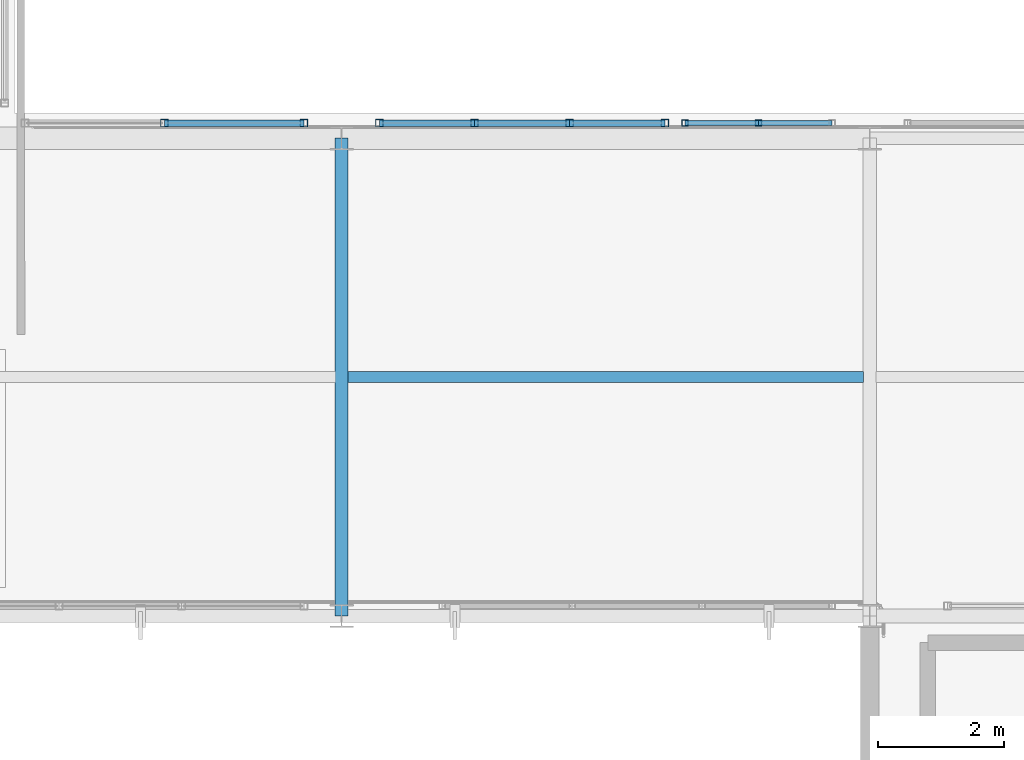
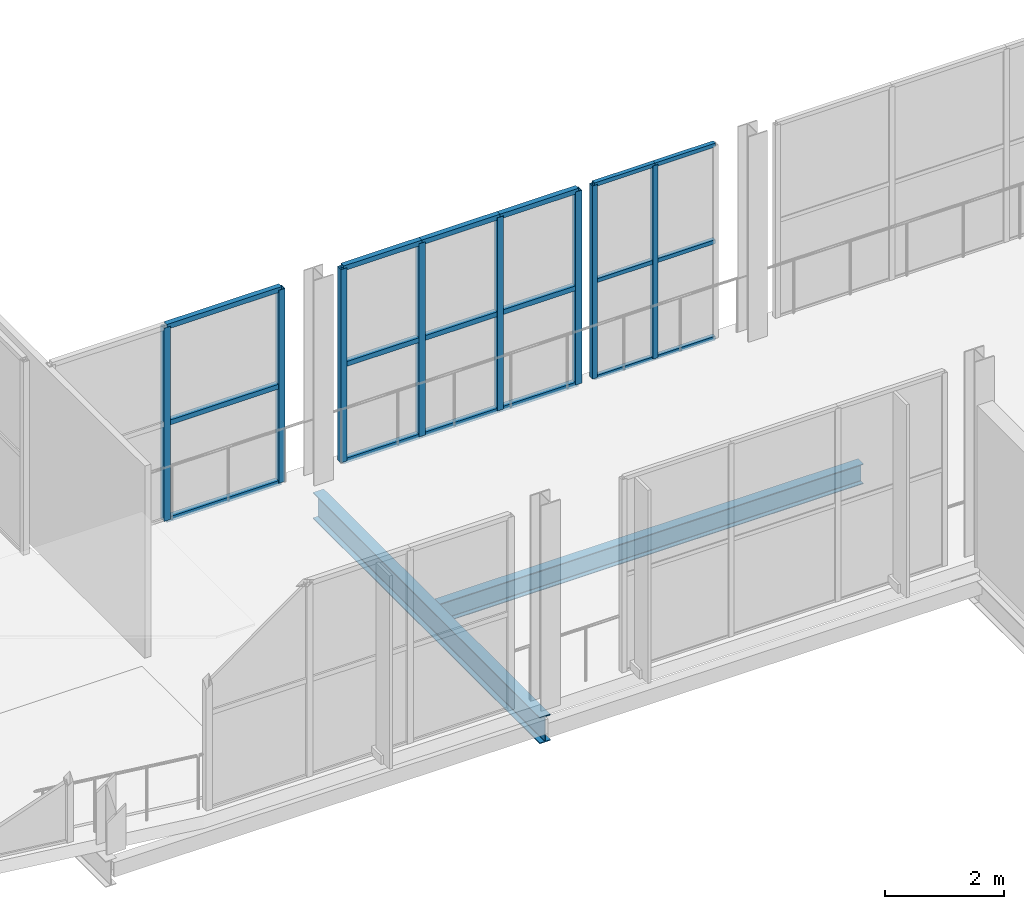
# One storey, part 21 of 217: 26 members, 2 beams, 3 elements without a shape of their own.
"""IFC4 building model written with IfcOpenShell, lengths in metres."""

from ifc_helpers import new_model, si_unit, direction, frame, origin, origin_2d, place, context, subcontext, project, spatial, hollow_rectangle, i_section, extrude, material, material_profile, profile_set, type_object, element, aggregate, save


model = new_model("IFC4")

# Units and contexts
model_context = context("Model", 3, precision=1e-05, world=origin(), true_north=direction((0.0, 1.0)))
body_context = subcontext(model_context, "Body", "Model", "MODEL_VIEW")
ifc_project = project(units=[si_unit("LENGTHUNIT", "METRE"), si_unit("AREAUNIT", "SQUARE_METRE"), si_unit("VOLUMEUNIT", "CUBIC_METRE"), si_unit("PLANEANGLEUNIT", "RADIAN"), si_unit("MASSUNIT", "GRAM", prefix="KILO")], contexts=[model_context])

# Site, building, storey
site_placement = place(None, origin())
site = spatial("IfcSite", under=ifc_project, at=site_placement, CompositionType="ELEMENT")
building_placement = place(site_placement, origin())
building = spatial("IfcBuilding", under=site, at=building_placement, Name="Zuvorla Pavilion Media Centre", CompositionType="ELEMENT")
storey_placement = place(building_placement, frame((0.0, 0.0, 9.60009765625)))
storey = spatial("IfcBuildingStorey", under=building, at=storey_placement, Name="L02", CompositionType="ELEMENT", Elevation=9.60009765625)

# Beams
ifc_material_1 = material(Name="Steel S355", Category="steel")
ifc_material_profile_1 = material_profile(ifc_material_1, i_section(OverallWidth=0.1787109375, OverallDepth=0.409423828125, WebThickness=0.0087890625, FlangeThickness=0.014404296875, FilletRadius=0.01025390625, at=origin_2d()), Name="UB 406x178x67")
ifc_profile_set_1 = profile_set([ifc_material_profile_1], Name="Steel S355")
beam_type_1 = type_object("IfcBeamType", Name="BM-UB406", PredefinedType="JOIST", material=ifc_profile_set_1)
beam_1_placement = place(storey_placement, frame((33.300048828125, 47.800048828125, -0.472900390625), z_axis=(1.0, 0.0, 0.0), x_axis=(0.0, 1.0, 0.0)))
element("IfcBeam", 1, at=beam_1_placement, inside=storey, type_object=beam_type_1, Name="L02 joist J02 987", PredefinedType="JOIST", context=body_context, shape_type="SweptSolid", body=[
    extrude(i_section(OverallWidth=0.1787109375, OverallDepth=0.409423828125, WebThickness=0.0087890625, FlangeThickness=0.014404296875, FilletRadius=0.01025390625, at=origin_2d()), origin(), (0.0, 0.0, 1.0), 8.199951171875),
])
ifc_material_profile_2 = material_profile(ifc_material_1, i_section(OverallWidth=0.2099609375, OverallDepth=0.53662109375, WebThickness=0.0107421875, FlangeThickness=0.017333984375, FilletRadius=0.0126953125, at=origin_2d()), Name="UB 533x210x101")
ifc_profile_set_2 = profile_set([ifc_material_profile_2], Name="Steel S355")
beam_type_2 = type_object("IfcBeamType", Name="BM-UB533", PredefinedType="BEAM", material=ifc_profile_set_2)
beam_2_placement = place(storey_placement, frame((33.199951171875, 44.0, -0.536376953125), z_axis=(0.0, 1.0, 0.0), x_axis=(-1.0, 0.0, 0.0)))
element("IfcBeam", 2, at=beam_2_placement, inside=storey, type_object=beam_type_2, Name="L02 beam B08 901", PredefinedType="BEAM", context=body_context, shape_type="SweptSolid", body=[
    extrude(i_section(OverallWidth=0.2099609375, OverallDepth=0.53662109375, WebThickness=0.0107421875, FlangeThickness=0.017333984375, FilletRadius=0.0126953125, at=origin_2d()), origin(), (0.0, 0.0, 1.0), 7.60009765625),
])

# Curtain wall, members
ifc_material_2 = material(Name="Unitised anodised aluminium and solar glass curtain wall", Category="aluminium")
curtain_wall_type_1 = type_object("IfcCurtainWallType", Name="CW-SYS-31", PredefinedType="USERDEFINED", material=ifc_material_2)
curtain_wall_1_placement = place(storey_placement, origin())
curtain_wall_1 = element("IfcCurtainWall", 3, at=curtain_wall_1_placement, inside=storey, type_object=curtain_wall_type_1, Name="L02 curtain wall CW31 52", ObjectType="CURTAIN WALL", PredefinedType="USERDEFINED")
ifc_material_3 = material(Name="Anodised aluminium 6063-T6", Category="aluminium")
ifc_material_profile_3 = material_profile(ifc_material_3, hollow_rectangle(XDim=0.10009765625, YDim=0.10009765625, WallThickness=0.00439453125, at=origin_2d()), Name="ALU MULL 100x100")
ifc_profile_set_3 = profile_set([ifc_material_profile_3], Name="Anodised aluminium 6063-T6")
member_type_1 = type_object("IfcMemberType", Name="CW-MULL-100", PredefinedType="MULLION", material=ifc_profile_set_3)
member_1_placement = place(storey_placement, frame((38.659912109375, 51.840087890625, 0.0), z_axis=(0.0, 0.0, 1.0), x_axis=(1.0, 0.0, 0.0)))
member_1 = element("IfcMember", 4, at=member_1_placement, type_object=member_type_1, Name="CW31 mullion 1", PredefinedType="MULLION", context=body_context, shape_type="SweptSolid", body=[
    extrude(hollow_rectangle(XDim=0.10009765625, YDim=0.10009765625, WallThickness=0.00439453125, at=origin_2d()), origin(), (0.0, 0.0, 1.0), 3.949951171875),
])
member_2_placement = place(storey_placement, frame((39.829833984375, 51.840087890625, 0.0), z_axis=(0.0, 0.0, 1.0), x_axis=(1.0, 0.0, 0.0)))
member_2 = element("IfcMember", 5, at=member_2_placement, type_object=member_type_1, Name="CW31 mullion 2", PredefinedType="MULLION", context=body_context, shape_type="SweptSolid", body=[
    extrude(hollow_rectangle(XDim=0.10009765625, YDim=0.10009765625, WallThickness=0.00439453125, at=origin_2d()), origin(), (0.0, 0.0, 1.0), 3.949951171875),
])

curtain_wall_type_2 = type_object("IfcCurtainWallType", Name="CW-SYS-28", PredefinedType="USERDEFINED", material=ifc_material_2)
curtain_wall_2_placement = place(storey_placement, origin())
curtain_wall_2 = element("IfcCurtainWall", 6, at=curtain_wall_2_placement, inside=storey, type_object=curtain_wall_type_2, Name="L02 curtain wall CW28 49", ObjectType="CURTAIN WALL", PredefinedType="USERDEFINED")
ifc_material_profile_4 = material_profile(ifc_material_3, hollow_rectangle(XDim=0.1201171875, YDim=0.1201171875, WallThickness=0.0048828125, at=origin_2d()), Name="ALU MULL 120x120")
ifc_profile_set_4 = profile_set([ifc_material_profile_4], Name="Anodised aluminium 6063-T6")
member_type_2 = type_object("IfcMemberType", Name="CW-MULL-120", PredefinedType="MULLION", material=ifc_profile_set_4)
member_3_placement = place(storey_placement, frame((30.3798828125, 51.840087890625, 0.0), z_axis=(0.0, 0.0, 1.0), x_axis=(1.0, 0.0, 0.0)))
member_3 = element("IfcMember", 7, at=member_3_placement, type_object=member_type_2, Name="CW28 mullion 2", PredefinedType="MULLION", context=body_context, shape_type="SweptSolid", body=[
    extrude(hollow_rectangle(XDim=0.1201171875, YDim=0.1201171875, WallThickness=0.0048828125, at=origin_2d()), origin(), (0.0, 0.0, 1.0), 3.949951171875),
])
member_4_placement = place(storey_placement, frame((32.599853515625, 51.840087890625, 0.0), z_axis=(0.0, 0.0, 1.0), x_axis=(1.0, 0.0, 0.0)))
member_4 = element("IfcMember", 8, at=member_4_placement, type_object=member_type_2, Name="CW28 mullion 3", PredefinedType="MULLION", context=body_context, shape_type="SweptSolid", body=[
    extrude(hollow_rectangle(XDim=0.1201171875, YDim=0.1201171875, WallThickness=0.0048828125, at=origin_2d()), origin(), (0.0, 0.0, 1.0), 3.949951171875),
])

curtain_wall_type_3 = type_object("IfcCurtainWallType", Name="CW-SYS-29", PredefinedType="USERDEFINED", material=ifc_material_2)
curtain_wall_3_placement = place(storey_placement, origin())
curtain_wall_3 = element("IfcCurtainWall", 9, at=curtain_wall_3_placement, inside=storey, type_object=curtain_wall_type_3, Name="L02 curtain wall CW29 50", ObjectType="CURTAIN WALL", PredefinedType="USERDEFINED")
member_5_placement = place(storey_placement, frame((33.80029296875, 51.840087890625, 0.0), z_axis=(0.0, 0.0, 1.0), x_axis=(1.0, 0.0, 0.0)))
member_5 = element("IfcMember", 10, at=member_5_placement, type_object=member_type_2, Name="CW29 mullion 1", PredefinedType="MULLION", context=body_context, shape_type="SweptSolid", body=[
    extrude(hollow_rectangle(XDim=0.1201171875, YDim=0.1201171875, WallThickness=0.0048828125, at=origin_2d()), origin(), (0.0, 0.0, 1.0), 3.949951171875),
])
member_6_placement = place(storey_placement, frame((35.3134765625, 51.840087890625, 0.0), z_axis=(0.0, 0.0, 1.0), x_axis=(1.0, 0.0, 0.0)))
member_6 = element("IfcMember", 11, at=member_6_placement, type_object=member_type_2, Name="CW29 mullion 2", PredefinedType="MULLION", context=body_context, shape_type="SweptSolid", body=[
    extrude(hollow_rectangle(XDim=0.1201171875, YDim=0.1201171875, WallThickness=0.0048828125, at=origin_2d()), origin(), (0.0, 0.0, 1.0), 3.949951171875),
])
member_7_placement = place(storey_placement, frame((36.82666015625, 51.840087890625, 0.0), z_axis=(0.0, 0.0, 1.0), x_axis=(1.0, 0.0, 0.0)))
member_7 = element("IfcMember", 12, at=member_7_placement, type_object=member_type_2, Name="CW29 mullion 3", PredefinedType="MULLION", context=body_context, shape_type="SweptSolid", body=[
    extrude(hollow_rectangle(XDim=0.1201171875, YDim=0.1201171875, WallThickness=0.0048828125, at=origin_2d()), origin(), (0.0, 0.0, 1.0), 3.949951171875),
])
member_8_placement = place(storey_placement, frame((38.340087890625, 51.840087890625, 0.0), z_axis=(0.0, 0.0, 1.0), x_axis=(1.0, 0.0, 0.0)))
member_8 = element("IfcMember", 13, at=member_8_placement, type_object=member_type_2, Name="CW29 mullion 4", PredefinedType="MULLION", context=body_context, shape_type="SweptSolid", body=[
    extrude(hollow_rectangle(XDim=0.1201171875, YDim=0.1201171875, WallThickness=0.0048828125, at=origin_2d()), origin(), (0.0, 0.0, 1.0), 3.949951171875),
])

# Member
ifc_material_profile_5 = material_profile(ifc_material_3, hollow_rectangle(XDim=0.10009765625, YDim=0.10009765625, WallThickness=0.00439453125, at=origin_2d()), Name="ALU TRAN 100x100")
ifc_profile_set_5 = profile_set([ifc_material_profile_5], Name="Anodised aluminium 6063-T6")
member_type_3 = type_object("IfcMemberType", Name="CW-TRAN-100", PredefinedType="USERDEFINED", material=ifc_profile_set_5)
member_9_placement = place(storey_placement, frame((30.3798828125, 51.840087890625, 0.0), z_axis=(1.0, 0.0, 0.0), x_axis=(0.0, 1.0, 0.0)))
member_9 = element("IfcMember", 14, at=member_9_placement, type_object=member_type_3, Name="CW28 transom 2.1", ObjectType="TRANSOM", PredefinedType="USERDEFINED", context=body_context, shape_type="SweptSolid", body=[
    extrude(hollow_rectangle(XDim=0.10009765625, YDim=0.10009765625, WallThickness=0.00439453125, at=origin_2d()), origin(), (0.0, 0.0, 1.0), 2.219970703125),
])

member_10_placement = place(storey_placement, frame((30.3798828125, 51.840087890625, 1.974853515625), z_axis=(1.0, 0.0, 0.0), x_axis=(0.0, 1.0, 0.0)))
member_10 = element("IfcMember", 15, at=member_10_placement, type_object=member_type_3, Name="CW28 transom 2.2", ObjectType="TRANSOM", PredefinedType="USERDEFINED", context=body_context, shape_type="SweptSolid", body=[
    extrude(hollow_rectangle(XDim=0.10009765625, YDim=0.10009765625, WallThickness=0.00439453125, at=origin_2d()), origin(), (0.0, 0.0, 1.0), 2.219970703125),
])

member_11_placement = place(storey_placement, frame((30.3798828125, 51.840087890625, 3.949951171875), z_axis=(1.0, 0.0, 0.0), x_axis=(0.0, 1.0, 0.0)))
member_11 = element("IfcMember", 16, at=member_11_placement, type_object=member_type_3, Name="CW28 transom 2.3", ObjectType="TRANSOM", PredefinedType="USERDEFINED", context=body_context, shape_type="SweptSolid", body=[
    extrude(hollow_rectangle(XDim=0.10009765625, YDim=0.10009765625, WallThickness=0.00439453125, at=origin_2d()), origin(), (0.0, 0.0, 1.0), 2.219970703125),
])

aggregate(curtain_wall_2, [member_3, member_4, member_9, member_10, member_11])

member_12_placement = place(storey_placement, frame((33.80029296875, 51.840087890625, 0.0), z_axis=(1.0, 0.0, 0.0), x_axis=(0.0, 1.0, 0.0)))
member_12 = element("IfcMember", 17, at=member_12_placement, type_object=member_type_3, Name="CW29 transom 1.1", ObjectType="TRANSOM", PredefinedType="USERDEFINED", context=body_context, shape_type="SweptSolid", body=[
    extrude(hollow_rectangle(XDim=0.10009765625, YDim=0.10009765625, WallThickness=0.00439453125, at=origin_2d()), origin(), (0.0, 0.0, 1.0), 1.51318359375),
])

member_13_placement = place(storey_placement, frame((33.80029296875, 51.840087890625, 1.974853515625), z_axis=(1.0, 0.0, 0.0), x_axis=(0.0, 1.0, 0.0)))
member_13 = element("IfcMember", 18, at=member_13_placement, type_object=member_type_3, Name="CW29 transom 1.2", ObjectType="TRANSOM", PredefinedType="USERDEFINED", context=body_context, shape_type="SweptSolid", body=[
    extrude(hollow_rectangle(XDim=0.10009765625, YDim=0.10009765625, WallThickness=0.00439453125, at=origin_2d()), origin(), (0.0, 0.0, 1.0), 1.51318359375),
])

member_14_placement = place(storey_placement, frame((33.80029296875, 51.840087890625, 3.949951171875), z_axis=(1.0, 0.0, 0.0), x_axis=(0.0, 1.0, 0.0)))
member_14 = element("IfcMember", 19, at=member_14_placement, type_object=member_type_3, Name="CW29 transom 1.3", ObjectType="TRANSOM", PredefinedType="USERDEFINED", context=body_context, shape_type="SweptSolid", body=[
    extrude(hollow_rectangle(XDim=0.10009765625, YDim=0.10009765625, WallThickness=0.00439453125, at=origin_2d()), origin(), (0.0, 0.0, 1.0), 1.51318359375),
])

member_15_placement = place(storey_placement, frame((35.3134765625, 51.840087890625, 0.0), z_axis=(1.0, 0.0, 0.0), x_axis=(0.0, 1.0, 0.0)))
member_15 = element("IfcMember", 20, at=member_15_placement, type_object=member_type_3, Name="CW29 transom 2.1", ObjectType="TRANSOM", PredefinedType="USERDEFINED", context=body_context, shape_type="SweptSolid", body=[
    extrude(hollow_rectangle(XDim=0.10009765625, YDim=0.10009765625, WallThickness=0.00439453125, at=origin_2d()), origin(), (0.0, 0.0, 1.0), 1.51318359375),
])

member_16_placement = place(storey_placement, frame((35.3134765625, 51.840087890625, 1.974853515625), z_axis=(1.0, 0.0, 0.0), x_axis=(0.0, 1.0, 0.0)))
member_16 = element("IfcMember", 21, at=member_16_placement, type_object=member_type_3, Name="CW29 transom 2.2", ObjectType="TRANSOM", PredefinedType="USERDEFINED", context=body_context, shape_type="SweptSolid", body=[
    extrude(hollow_rectangle(XDim=0.10009765625, YDim=0.10009765625, WallThickness=0.00439453125, at=origin_2d()), origin(), (0.0, 0.0, 1.0), 1.51318359375),
])

member_17_placement = place(storey_placement, frame((35.3134765625, 51.840087890625, 3.949951171875), z_axis=(1.0, 0.0, 0.0), x_axis=(0.0, 1.0, 0.0)))
member_17 = element("IfcMember", 22, at=member_17_placement, type_object=member_type_3, Name="CW29 transom 2.3", ObjectType="TRANSOM", PredefinedType="USERDEFINED", context=body_context, shape_type="SweptSolid", body=[
    extrude(hollow_rectangle(XDim=0.10009765625, YDim=0.10009765625, WallThickness=0.00439453125, at=origin_2d()), origin(), (0.0, 0.0, 1.0), 1.51318359375),
])

member_18_placement = place(storey_placement, frame((36.82666015625, 51.840087890625, 0.0), z_axis=(1.0, 0.0, 0.0), x_axis=(0.0, 1.0, 0.0)))
member_18 = element("IfcMember", 23, at=member_18_placement, type_object=member_type_3, Name="CW29 transom 3.1", ObjectType="TRANSOM", PredefinedType="USERDEFINED", context=body_context, shape_type="SweptSolid", body=[
    extrude(hollow_rectangle(XDim=0.10009765625, YDim=0.10009765625, WallThickness=0.00439453125, at=origin_2d()), origin(), (0.0, 0.0, 1.0), 1.513427734375),
])

member_19_placement = place(storey_placement, frame((36.82666015625, 51.840087890625, 1.974853515625), z_axis=(1.0, 0.0, 0.0), x_axis=(0.0, 1.0, 0.0)))
member_19 = element("IfcMember", 24, at=member_19_placement, type_object=member_type_3, Name="CW29 transom 3.2", ObjectType="TRANSOM", PredefinedType="USERDEFINED", context=body_context, shape_type="SweptSolid", body=[
    extrude(hollow_rectangle(XDim=0.10009765625, YDim=0.10009765625, WallThickness=0.00439453125, at=origin_2d()), origin(), (0.0, 0.0, 1.0), 1.513427734375),
])

member_20_placement = place(storey_placement, frame((36.82666015625, 51.840087890625, 3.949951171875), z_axis=(1.0, 0.0, 0.0), x_axis=(0.0, 1.0, 0.0)))
member_20 = element("IfcMember", 25, at=member_20_placement, type_object=member_type_3, Name="CW29 transom 3.3", ObjectType="TRANSOM", PredefinedType="USERDEFINED", context=body_context, shape_type="SweptSolid", body=[
    extrude(hollow_rectangle(XDim=0.10009765625, YDim=0.10009765625, WallThickness=0.00439453125, at=origin_2d()), origin(), (0.0, 0.0, 1.0), 1.513427734375),
])

aggregate(curtain_wall_3, [member_5, member_6, member_7, member_8, member_12, member_13, member_14, member_15, member_16, member_17, member_18, member_19, member_20])

ifc_material_profile_6 = material_profile(ifc_material_3, hollow_rectangle(XDim=0.080078125, YDim=0.080078125, WallThickness=0.00390625, at=origin_2d()), Name="ALU TRAN 80x80")
ifc_profile_set_6 = profile_set([ifc_material_profile_6], Name="Anodised aluminium 6063-T6")
member_type_4 = type_object("IfcMemberType", Name="CW-TRAN-80", PredefinedType="USERDEFINED", material=ifc_profile_set_6)
member_21_placement = place(storey_placement, frame((38.659912109375, 51.840087890625, 0.0), z_axis=(1.0, 0.0, 0.0), x_axis=(0.0, 1.0, 0.0)))
member_21 = element("IfcMember", 26, at=member_21_placement, type_object=member_type_4, Name="CW31 transom 1.1", ObjectType="TRANSOM", PredefinedType="USERDEFINED", context=body_context, shape_type="SweptSolid", body=[
    extrude(hollow_rectangle(XDim=0.080078125, YDim=0.080078125, WallThickness=0.00390625, at=origin_2d()), origin(), (0.0, 0.0, 1.0), 1.169921875),
])

member_22_placement = place(storey_placement, frame((38.659912109375, 51.840087890625, 1.974853515625), z_axis=(1.0, 0.0, 0.0), x_axis=(0.0, 1.0, 0.0)))
member_22 = element("IfcMember", 27, at=member_22_placement, type_object=member_type_4, Name="CW31 transom 1.2", ObjectType="TRANSOM", PredefinedType="USERDEFINED", context=body_context, shape_type="SweptSolid", body=[
    extrude(hollow_rectangle(XDim=0.080078125, YDim=0.080078125, WallThickness=0.00390625, at=origin_2d()), origin(), (0.0, 0.0, 1.0), 1.169921875),
])

member_23_placement = place(storey_placement, frame((38.659912109375, 51.840087890625, 3.949951171875), z_axis=(1.0, 0.0, 0.0), x_axis=(0.0, 1.0, 0.0)))
member_23 = element("IfcMember", 28, at=member_23_placement, type_object=member_type_4, Name="CW31 transom 1.3", ObjectType="TRANSOM", PredefinedType="USERDEFINED", context=body_context, shape_type="SweptSolid", body=[
    extrude(hollow_rectangle(XDim=0.080078125, YDim=0.080078125, WallThickness=0.00390625, at=origin_2d()), origin(), (0.0, 0.0, 1.0), 1.169921875),
])

member_24_placement = place(storey_placement, frame((39.829833984375, 51.840087890625, 0.0), z_axis=(1.0, 0.0, 0.0), x_axis=(0.0, 1.0, 0.0)))
member_24 = element("IfcMember", 29, at=member_24_placement, type_object=member_type_4, Name="CW31 transom 2.1", ObjectType="TRANSOM", PredefinedType="USERDEFINED", context=body_context, shape_type="SweptSolid", body=[
    extrude(hollow_rectangle(XDim=0.080078125, YDim=0.080078125, WallThickness=0.00390625, at=origin_2d()), origin(), (0.0, 0.0, 1.0), 1.169921875),
])

member_25_placement = place(storey_placement, frame((39.829833984375, 51.840087890625, 1.974853515625), z_axis=(1.0, 0.0, 0.0), x_axis=(0.0, 1.0, 0.0)))
member_25 = element("IfcMember", 30, at=member_25_placement, type_object=member_type_4, Name="CW31 transom 2.2", ObjectType="TRANSOM", PredefinedType="USERDEFINED", context=body_context, shape_type="SweptSolid", body=[
    extrude(hollow_rectangle(XDim=0.080078125, YDim=0.080078125, WallThickness=0.00390625, at=origin_2d()), origin(), (0.0, 0.0, 1.0), 1.169921875),
])

member_26_placement = place(storey_placement, frame((39.829833984375, 51.840087890625, 3.949951171875), z_axis=(1.0, 0.0, 0.0), x_axis=(0.0, 1.0, 0.0)))
member_26 = element("IfcMember", 31, at=member_26_placement, type_object=member_type_4, Name="CW31 transom 2.3", ObjectType="TRANSOM", PredefinedType="USERDEFINED", context=body_context, shape_type="SweptSolid", body=[
    extrude(hollow_rectangle(XDim=0.080078125, YDim=0.080078125, WallThickness=0.00390625, at=origin_2d()), origin(), (0.0, 0.0, 1.0), 1.169921875),
])

aggregate(curtain_wall_1, [member_1, member_2, member_21, member_22, member_23, member_24, member_25, member_26])

save(model, "model.ifc")
